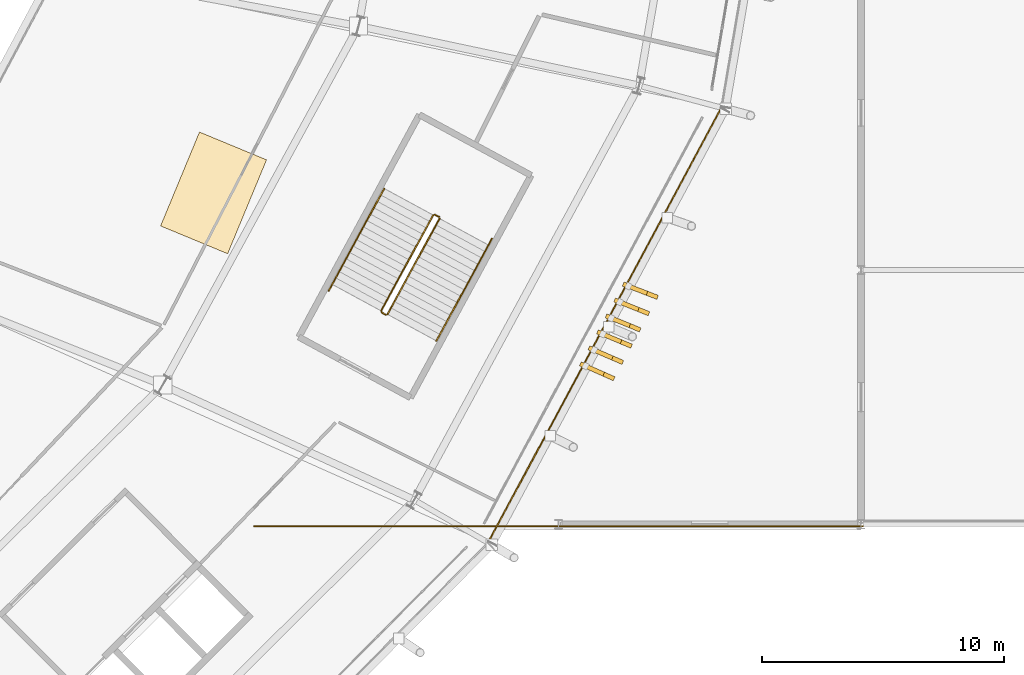
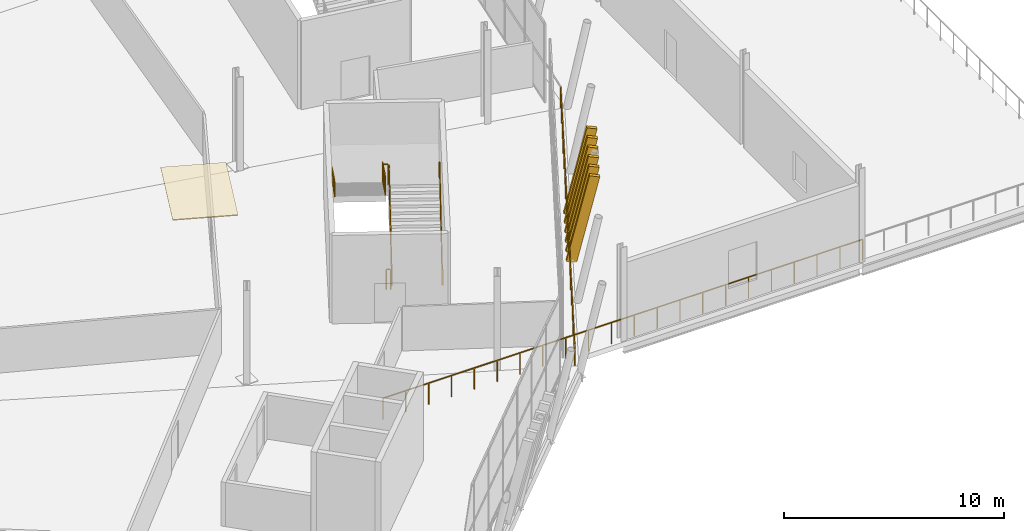
# One storey, part 156 of 168: 8 railings, 6 shading devices, 1 covering.
"""IFC4 building model written with IfcOpenShell, lengths in metres."""

from ifc_helpers import new_model, si_unit, direction, frame, origin, origin_2d, place, context, subcontext, project, spatial, polyline, rectangle, outline, extrude, material, layer, layer_set, material_profile, profile_set, type_object, element, save


model = new_model("IFC4")

# Units and contexts
model_context = context("Model", 3, precision=1e-05, world=origin(), true_north=direction((0.0, 1.0)))
body_context = subcontext(model_context, "Body", "Model", "MODEL_VIEW")
ifc_project = project(units=[si_unit("LENGTHUNIT", "METRE"), si_unit("AREAUNIT", "SQUARE_METRE"), si_unit("VOLUMEUNIT", "CUBIC_METRE"), si_unit("PLANEANGLEUNIT", "RADIAN"), si_unit("MASSUNIT", "GRAM", prefix="KILO")], contexts=[model_context])

# Site, building, storey
site_placement = place(None, origin())
site = spatial("IfcSite", under=ifc_project, at=site_placement, CompositionType="ELEMENT")
building_placement = place(site_placement, origin())
building = spatial("IfcBuilding", under=site, at=building_placement, Name="Zlatoyarsky Gate Stadium", CompositionType="ELEMENT")
storey_placement = place(building_placement, frame((0.0, 0.0, 15.60009765625)))
storey = spatial("IfcBuildingStorey", under=building, at=storey_placement, Name="L03", CompositionType="ELEMENT", Elevation=15.60009765625)

# Railings
ifc_material_1 = material(Name="Powder-coated steel tubular guardrail", Category="steel")
railing_type_1 = type_object("IfcRailingType", Name="CONCOURSE SLAB EDGE GUARDRAIL 1200", PredefinedType="GUARDRAIL", material=ifc_material_1)
railing_1_placement = place(storey_placement, frame((194.5908203125, 42.739013671875, 0.0)))
element("IfcRailing", 1, at=railing_1_placement, inside=storey, type_object=railing_type_1, Name="L03 outer slab edge guardrail 22", PredefinedType="GUARDRAIL", context=body_context, shape_type="SweptSolid", body=[
    extrude(rectangle(XDim=0.048095703125, YDim=0.048095703125, at=origin_2d()), frame((0.0, 0.0, 1.17578125), z_axis=(0.472758767062, 0.881191890661, 0.0), x_axis=(-0.881191890661, 0.472758767062, 0.0)), (0.0, 0.0, 1.0), 20.396484375),
    extrude(rectangle(XDim=0.0419921875, YDim=0.0419921875, at=origin_2d()), origin(), (0.0, 0.0, 1.0), 1.15185546875),
    extrude(rectangle(XDim=0.0419921875, YDim=0.0419921875, at=origin_2d()), frame((0.567138671875, 1.05712890625, 0.0)), (0.0, 0.0, 1.0), 1.15185546875),
    extrude(rectangle(XDim=0.0419921875, YDim=0.0419921875, at=origin_2d()), frame((1.134521484375, 2.114501953125, 0.0)), (0.0, 0.0, 1.0), 1.15185546875),
    extrude(rectangle(XDim=0.0419921875, YDim=0.0419921875, at=origin_2d()), frame((1.70166015625, 3.171630859375, 0.0)), (0.0, 0.0, 1.0), 1.15185546875),
    extrude(rectangle(XDim=0.0419921875, YDim=0.0419921875, at=origin_2d()), frame((2.268798828125, 4.22900390625, 0.0)), (0.0, 0.0, 1.0), 1.15185546875),
    extrude(rectangle(XDim=0.0419921875, YDim=0.0419921875, at=origin_2d()), frame((2.8359375, 5.2861328125, 0.0)), (0.0, 0.0, 1.0), 1.15185546875),
    extrude(rectangle(XDim=0.0419921875, YDim=0.0419921875, at=origin_2d()), frame((3.4033203125, 6.343505859375, 0.0)), (0.0, 0.0, 1.0), 1.15185546875),
    extrude(rectangle(XDim=0.0419921875, YDim=0.0419921875, at=origin_2d()), frame((3.970458984375, 7.400634765625, 0.0)), (0.0, 0.0, 1.0), 1.15185546875),
    extrude(rectangle(XDim=0.0419921875, YDim=0.0419921875, at=origin_2d()), frame((4.53759765625, 8.4580078125, 0.0)), (0.0, 0.0, 1.0), 1.15185546875),
    extrude(rectangle(XDim=0.0419921875, YDim=0.0419921875, at=origin_2d()), frame((5.10498046875, 9.51513671875, 0.0)), (0.0, 0.0, 1.0), 1.15185546875),
    extrude(rectangle(XDim=0.0419921875, YDim=0.0419921875, at=origin_2d()), frame((5.672119140625, 10.572509765625, 0.0)), (0.0, 0.0, 1.0), 1.15185546875),
    extrude(rectangle(XDim=0.0419921875, YDim=0.0419921875, at=origin_2d()), frame((6.2392578125, 11.629638671875, 0.0)), (0.0, 0.0, 1.0), 1.15185546875),
    extrude(rectangle(XDim=0.0419921875, YDim=0.0419921875, at=origin_2d()), frame((6.806640625, 12.68701171875, 0.0)), (0.0, 0.0, 1.0), 1.15185546875),
    extrude(rectangle(XDim=0.0419921875, YDim=0.0419921875, at=origin_2d()), frame((7.373779296875, 13.744140625, 0.0)), (0.0, 0.0, 1.0), 1.15185546875),
    extrude(rectangle(XDim=0.0419921875, YDim=0.0419921875, at=origin_2d()), frame((7.94091796875, 14.801513671875, 0.0)), (0.0, 0.0, 1.0), 1.15185546875),
    extrude(rectangle(XDim=0.0419921875, YDim=0.0419921875, at=origin_2d()), frame((8.508056640625, 15.858642578125, 0.0)), (0.0, 0.0, 1.0), 1.15185546875),
    extrude(rectangle(XDim=0.0419921875, YDim=0.0419921875, at=origin_2d()), frame((9.075439453125, 16.916015625, 0.0)), (0.0, 0.0, 1.0), 1.15185546875),
    extrude(rectangle(XDim=0.0419921875, YDim=0.0419921875, at=origin_2d()), frame((9.642578125, 17.97314453125, 0.0)), (0.0, 0.0, 1.0), 1.15185546875),
])
railing_2_placement = place(storey_placement, frame((184.919921875, 43.419921875, 0.0)))
element("IfcRailing", 2, at=railing_2_placement, inside=storey, type_object=railing_type_1, Name="V5_EAST L03 S slab edge guardrail", PredefinedType="GUARDRAIL", context=body_context, shape_type="SweptSolid", body=[
    extrude(rectangle(XDim=0.048095703125, YDim=0.048095703125, at=origin_2d()), frame((0.0, 0.0, 1.17578125), z_axis=(1.0, 0.0, 0.0), x_axis=(0.0, 1.0, 0.0)), (0.0, 0.0, 1.0), 25.16015625),
    extrude(rectangle(XDim=0.0419921875, YDim=0.0419921875, at=origin_2d()), origin(), (0.0, 0.0, 1.0), 1.15185546875),
    extrude(rectangle(XDim=0.0419921875, YDim=0.0419921875, at=origin_2d()), frame((1.197998046875, 0.0, 0.0)), (0.0, 0.0, 1.0), 1.15185546875),
    extrude(rectangle(XDim=0.0419921875, YDim=0.0419921875, at=origin_2d()), frame((2.396240234375, 0.0, 0.0)), (0.0, 0.0, 1.0), 1.15185546875),
    extrude(rectangle(XDim=0.0419921875, YDim=0.0419921875, at=origin_2d()), frame((3.59423828125, 0.0, 0.0)), (0.0, 0.0, 1.0), 1.15185546875),
    extrude(rectangle(XDim=0.0419921875, YDim=0.0419921875, at=origin_2d()), frame((4.79248046875, 0.0, 0.0)), (0.0, 0.0, 1.0), 1.15185546875),
    extrude(rectangle(XDim=0.0419921875, YDim=0.0419921875, at=origin_2d()), frame((5.990478515625, 0.0, 0.0)), (0.0, 0.0, 1.0), 1.15185546875),
    extrude(rectangle(XDim=0.0419921875, YDim=0.0419921875, at=origin_2d()), frame((7.188720703125, 0.0, 0.0)), (0.0, 0.0, 1.0), 1.15185546875),
    extrude(rectangle(XDim=0.0419921875, YDim=0.0419921875, at=origin_2d()), frame((8.38671875, 0.0, 0.0)), (0.0, 0.0, 1.0), 1.15185546875),
    extrude(rectangle(XDim=0.0419921875, YDim=0.0419921875, at=origin_2d()), frame((9.584716796875, 0.0, 0.0)), (0.0, 0.0, 1.0), 1.15185546875),
    extrude(rectangle(XDim=0.0419921875, YDim=0.0419921875, at=origin_2d()), frame((10.782958984375, 0.0, 0.0)), (0.0, 0.0, 1.0), 1.15185546875),
    extrude(rectangle(XDim=0.0419921875, YDim=0.0419921875, at=origin_2d()), frame((11.98095703125, 0.0, 0.0)), (0.0, 0.0, 1.0), 1.15185546875),
    extrude(rectangle(XDim=0.0419921875, YDim=0.0419921875, at=origin_2d()), frame((13.17919921875, 0.0, 0.0)), (0.0, 0.0, 1.0), 1.15185546875),
    extrude(rectangle(XDim=0.0419921875, YDim=0.0419921875, at=origin_2d()), frame((14.377197265625, 0.0, 0.0)), (0.0, 0.0, 1.0), 1.15185546875),
    extrude(rectangle(XDim=0.0419921875, YDim=0.0419921875, at=origin_2d()), frame((15.575439453125, 0.0, 0.0)), (0.0, 0.0, 1.0), 1.15185546875),
    extrude(rectangle(XDim=0.0419921875, YDim=0.0419921875, at=origin_2d()), frame((16.7734375, 0.0, 0.0)), (0.0, 0.0, 1.0), 1.15185546875),
    extrude(rectangle(XDim=0.0419921875, YDim=0.0419921875, at=origin_2d()), frame((17.971435546875, 0.0, 0.0)), (0.0, 0.0, 1.0), 1.15185546875),
    extrude(rectangle(XDim=0.0419921875, YDim=0.0419921875, at=origin_2d()), frame((19.169677734375, 0.0, 0.0)), (0.0, 0.0, 1.0), 1.15185546875),
    extrude(rectangle(XDim=0.0419921875, YDim=0.0419921875, at=origin_2d()), frame((20.36767578125, 0.0, 0.0)), (0.0, 0.0, 1.0), 1.15185546875),
    extrude(rectangle(XDim=0.0419921875, YDim=0.0419921875, at=origin_2d()), frame((21.56591796875, 0.0, 0.0)), (0.0, 0.0, 1.0), 1.15185546875),
    extrude(rectangle(XDim=0.0419921875, YDim=0.0419921875, at=origin_2d()), frame((22.763916015625, 0.0, 0.0)), (0.0, 0.0, 1.0), 1.15185546875),
    extrude(rectangle(XDim=0.0419921875, YDim=0.0419921875, at=origin_2d()), frame((23.962158203125, 0.0, 0.0)), (0.0, 0.0, 1.0), 1.15185546875),
    extrude(rectangle(XDim=0.0419921875, YDim=0.0419921875, at=origin_2d()), frame((25.16015625, 0.0, 0.0)), (0.0, 0.0, 1.0), 1.15185546875),
])
ifc_material_2 = material(Name="Powder-coated steel stair guardrail", Category="steel")
railing_type_2 = type_object("IfcRailingType", Name="PAINTED STEEL STAIR WELL GUARDRAIL 1150", PredefinedType="GUARDRAIL", material=ifc_material_2)
railing_3_placement = place(storey_placement, frame((190.437255859375, 52.175048828125, 0.162353515625)))
element("IfcRailing", 3, at=railing_3_placement, inside=storey, type_object=railing_type_2, Name="ST-12 L03 stair guard 1", PredefinedType="GUARDRAIL", context=body_context, shape_type="SweptSolid", body=[
    extrude(rectangle(XDim=0.048095703125, YDim=0.048095703125, at=origin_2d()), frame((0.0, 0.0, 1.1259765625), z_axis=(0.419324818617, 0.772864776611, 0.476284299098), x_axis=(-0.878963249763, 0.476889510858, 0.0)), (0.0, 0.0, 1.0), 5.11767578125),
    extrude(rectangle(XDim=0.0419921875, YDim=0.0419921875, at=origin_2d()), origin(), (0.0, 0.0, 1.0), 1.101806640625),
    extrude(rectangle(XDim=0.0419921875, YDim=0.0419921875, at=origin_2d()), frame((0.42919921875, 0.791015625, 0.487548828125)), (0.0, 0.0, 1.0), 1.101806640625),
    extrude(rectangle(XDim=0.0419921875, YDim=0.0419921875, at=origin_2d()), frame((0.8583984375, 1.58203125, 0.97509765625)), (0.0, 0.0, 1.0), 1.101806640625),
    extrude(rectangle(XDim=0.0419921875, YDim=0.0419921875, at=origin_2d()), frame((1.28759765625, 2.373291015625, 1.46240234375)), (0.0, 0.0, 1.0), 1.101806640625),
    extrude(rectangle(XDim=0.0419921875, YDim=0.0419921875, at=origin_2d()), frame((1.716796875, 3.164306640625, 1.949951171875)), (0.0, 0.0, 1.0), 1.101806640625),
    extrude(rectangle(XDim=0.0419921875, YDim=0.0419921875, at=origin_2d()), frame((2.14599609375, 3.955322265625, 2.4375)), (0.0, 0.0, 1.0), 1.101806640625),
])
railing_4_placement = place(storey_placement, frame((192.563232421875, 56.197998046875, 2.599853515625)))
element("IfcRailing", 4, at=railing_4_placement, inside=storey, type_object=railing_type_2, Name="ST-12 L03 stair guard 2", PredefinedType="GUARDRAIL", context=body_context, shape_type="SweptSolid", body=[
    extrude(rectangle(XDim=0.048095703125, YDim=0.048095703125, at=origin_2d()), frame((0.0, 0.0, 1.1259765625), z_axis=(-0.878780312785, 0.477226530971, 0.0), x_axis=(-0.477226530971, -0.878780312785, 0.0)), (0.0, 0.0, 1.0), 0.199951171875),
    extrude(rectangle(XDim=0.0419921875, YDim=0.0419921875, at=origin_2d()), origin(), (0.0, 0.0, 1.0), 1.101806640625),
    extrude(rectangle(XDim=0.0419921875, YDim=0.0419921875, at=origin_2d()), frame((-0.17578125, 0.095458984375, 0.0)), (0.0, 0.0, 1.0), 1.101806640625),
])
railing_5_placement = place(storey_placement, frame((192.319580078125, 56.2734375, 2.762451171875)))
element("IfcRailing", 5, at=railing_5_placement, inside=storey, type_object=railing_type_2, Name="ST-12 L03 stair guard 3", PredefinedType="GUARDRAIL", context=body_context, shape_type="SweptSolid", body=[
    extrude(rectangle(XDim=0.048095703125, YDim=0.048095703125, at=origin_2d()), frame((0.0, 0.0, 1.1259765625), z_axis=(-0.419324818617, -0.772864776611, 0.476284299098), x_axis=(0.878963249763, -0.476889510858, 0.0)), (0.0, 0.0, 1.0), 5.11767578125),
    extrude(rectangle(XDim=0.0419921875, YDim=0.0419921875, at=origin_2d()), origin(), (0.0, 0.0, 1.0), 1.101806640625),
    extrude(rectangle(XDim=0.0419921875, YDim=0.0419921875, at=origin_2d()), frame((-0.42919921875, -0.791015625, 0.487548828125)), (0.0, 0.0, 1.0), 1.101806640625),
    extrude(rectangle(XDim=0.0419921875, YDim=0.0419921875, at=origin_2d()), frame((-0.8583984375, -1.58203125, 0.97509765625)), (0.0, 0.0, 1.0), 1.101806640625),
    extrude(rectangle(XDim=0.0419921875, YDim=0.0419921875, at=origin_2d()), frame((-1.28759765625, -2.373291015625, 1.46240234375)), (0.0, 0.0, 1.0), 1.101806640625),
    extrude(rectangle(XDim=0.0419921875, YDim=0.0419921875, at=origin_2d()), frame((-1.716796875, -3.164306640625, 1.949951171875)), (0.0, 0.0, 1.0), 1.101806640625),
    extrude(rectangle(XDim=0.0419921875, YDim=0.0419921875, at=origin_2d()), frame((-2.14599609375, -3.955322265625, 2.4375)), (0.0, 0.0, 1.0), 1.101806640625),
])
railing_6_placement = place(storey_placement, frame((190.36962890625, 52.15478515625, 0.0)))
element("IfcRailing", 6, at=railing_6_placement, inside=storey, type_object=railing_type_2, Name="ST-12 L03 stair guard 4", PredefinedType="GUARDRAIL", context=body_context, shape_type="SweptSolid", body=[
    extrude(rectangle(XDim=0.048095703125, YDim=0.048095703125, at=origin_2d()), frame((0.0, 0.0, 1.1259765625), z_axis=(-0.878780312785, 0.477226530971, 0.0), x_axis=(-0.477226530971, -0.878780312785, 0.0)), (0.0, 0.0, 1.0), 0.199951171875),
    extrude(rectangle(XDim=0.0419921875, YDim=0.0419921875, at=origin_2d()), origin(), (0.0, 0.0, 1.0), 1.101806640625),
    extrude(rectangle(XDim=0.0419921875, YDim=0.0419921875, at=origin_2d()), frame((-0.17578125, 0.095458984375, 0.0)), (0.0, 0.0, 1.0), 1.101806640625),
])

# Covering
ifc_material_3 = material(Name="Perforated anodised aluminium acoustic ceiling", Category="aluminium")
ifc_layer = layer(ifc_material_3, 0.050048828125)
ifc_layer_set = layer_set([ifc_layer], Name="Perforated anodised aluminium acoustic ceiling")
covering_type = type_object("IfcCoveringType", Name="PERFORATED ACOUSTIC BAFFLE CEILING 50", PredefinedType="CEILING", material=ifc_layer_set)
covering_placement = place(storey_placement, frame((0.0, 0.0, 4.849853515625)))
element("IfcCovering", 7, at=covering_placement, inside=storey, type_object=covering_type, Name="L03 box gallery acoustic ceiling 08", PredefinedType="CEILING", context=body_context, shape_type="SweptSolid", body=[
    extrude(outline(polyline([(181.0576171875, 55.825927734375), (182.664794921875, 59.706298828125), (185.4365234375, 58.55810546875), (183.8291015625, 54.677734375), (181.0576171875, 55.825927734375)])), origin(), (0.0, 0.0, 1.0), 0.050048828125),
])

# Shading devices
ifc_material_4 = material(Name="Precast concrete C40/50 stone-toned architectural rib", Category="masonry")
ifc_material_profile = material_profile(ifc_material_4, rectangle(XDim=0.179931640625, YDim=0.47998046875, at=origin_2d()), Name="RIB 180X480")
ifc_profile_set = profile_set([ifc_material_profile], Name="Precast concrete C40/50 stone-toned architectural rib")
shading_device_type = type_object("IfcShadingDeviceType", Name="PRECAST RIBBED BOWL LOUVRE FIN 180X480", PredefinedType="JALOUSIE", material=ifc_profile_set)
for number, where, z_axis, x_axis, name in (
    (8, (198.617431640625, 50.035400390625, -0.010009765625), (0.202521751379, -0.089714479168, 0.975159603576), (0.405025327301, 0.914305465501, 0.0), "Leaning bowl louvre fin L03-22-1"),
    (9, (198.971923828125, 50.6962890625, -0.010009765625), (0.203341409477, -0.087722914591, 0.975170221781), (0.396117808554, 0.918199696007, 0.0), "Leaning bowl louvre fin L03-22-2"),
    (10, (199.326416015625, 51.357177734375, -0.010009765625), (0.204160138444, -0.085730908986, 0.975176316937), (0.387169720357, 0.922008463973, 0.0), "Leaning bowl louvre fin L03-22-3"),
    (11, (199.680908203125, 52.01806640625, -0.010009765625), (0.204977926852, -0.083738490058, 0.975177888791), (0.378183571957, 0.925730622753, 0.0), "Leaning bowl louvre fin L03-22-4"),
    (12, (200.035400390625, 52.67919921875, -0.010009765625), (0.205793043267, -0.081847183544, 0.975166786703), (0.369560369764, 0.929206722479, 0.0), "Leaning bowl louvre fin L03-22-5"),
    (13, (200.389892578125, 53.340087890625, -0.010009765625), (0.206608951703, -0.079854053292, 0.97515951067), (0.360508745614, 0.932755833182, 0.0), "Leaning bowl louvre fin L03-22-6"),
):
    element("IfcShadingDevice", number, at=place(storey_placement, frame(where, z_axis=z_axis, x_axis=x_axis)), inside=storey, type_object=shading_device_type, Name=name, PredefinedType="JALOUSIE", context=body_context, shape_type="SweptSolid", body=[
        extrude(rectangle(XDim=0.179931640625, YDim=0.47998046875, at=origin_2d()), origin(), (0.0, 0.0, 1.0), 4.778564453125),
    ])

# Railings
ifc_material_5 = material(Name="Brushed stainless steel 316 handrail", Category="steel")
railing_type_3 = type_object("IfcRailingType", Name="STAINLESS STEEL TUBULAR HANDRAIL 900", PredefinedType="HANDRAIL", material=ifc_material_5)
railing_7_placement = place(storey_placement, frame((192.458984375, 51.078125, 0.16650390625)))
element("IfcRailing", 14, at=railing_7_placement, inside=storey, type_object=railing_type_3, Name="ST-12 L03 stair handrail 1", PredefinedType="HANDRAIL", context=body_context, shape_type="SweptSolid", body=[
    extrude(rectangle(XDim=0.048095703125, YDim=0.048095703125, at=origin_2d()), frame((0.0, 0.0, 0.8759765625), z_axis=(0.419331144084, 0.772873453596, 0.476264649462), x_axis=(-0.878962478599, 0.4768909322, 0.0)), (0.0, 0.0, 1.0), 5.458740234375),
    extrude(rectangle(XDim=0.0419921875, YDim=0.0419921875, at=origin_2d()), origin(), (0.0, 0.0, 1.0), 0.851806640625),
    extrude(rectangle(XDim=0.0419921875, YDim=0.0419921875, at=origin_2d()), frame((0.457763671875, 0.84375, 0.52001953125)), (0.0, 0.0, 1.0), 0.851806640625),
    extrude(rectangle(XDim=0.0419921875, YDim=0.0419921875, at=origin_2d()), frame((0.91552734375, 1.6875, 1.0400390625)), (0.0, 0.0, 1.0), 0.851806640625),
    extrude(rectangle(XDim=0.0419921875, YDim=0.0419921875, at=origin_2d()), frame((1.37353515625, 2.531494140625, 1.559814453125)), (0.0, 0.0, 1.0), 0.851806640625),
    extrude(rectangle(XDim=0.0419921875, YDim=0.0419921875, at=origin_2d()), frame((1.831298828125, 3.375244140625, 2.079833984375)), (0.0, 0.0, 1.0), 0.851806640625),
    extrude(rectangle(XDim=0.0419921875, YDim=0.0419921875, at=origin_2d()), frame((2.2890625, 4.218994140625, 2.599853515625)), (0.0, 0.0, 1.0), 0.851806640625),
])
railing_8_placement = place(storey_placement, frame((190.298095703125, 57.3701171875, 2.766357421875)))
element("IfcRailing", 15, at=railing_8_placement, inside=storey, type_object=railing_type_3, Name="ST-12 L03 stair handrail 2", PredefinedType="HANDRAIL", context=body_context, shape_type="SweptSolid", body=[
    extrude(rectangle(XDim=0.048095703125, YDim=0.048095703125, at=origin_2d()), frame((0.0, 0.0, 0.8759765625), z_axis=(-0.419322212027, -0.772856990832, 0.476299227612), x_axis=(0.878962478599, -0.4768909322, 0.0)), (0.0, 0.0, 1.0), 5.458984375),
    extrude(rectangle(XDim=0.0419921875, YDim=0.0419921875, at=origin_2d()), origin(), (0.0, 0.0, 1.0), 0.851806640625),
    extrude(rectangle(XDim=0.0419921875, YDim=0.0419921875, at=origin_2d()), frame((-0.457763671875, -0.84375, 0.52001953125)), (0.0, 0.0, 1.0), 0.851806640625),
    extrude(rectangle(XDim=0.0419921875, YDim=0.0419921875, at=origin_2d()), frame((-0.91552734375, -1.6875, 1.0400390625)), (0.0, 0.0, 1.0), 0.851806640625),
    extrude(rectangle(XDim=0.0419921875, YDim=0.0419921875, at=origin_2d()), frame((-1.37353515625, -2.531494140625, 1.56005859375)), (0.0, 0.0, 1.0), 0.851806640625),
    extrude(rectangle(XDim=0.0419921875, YDim=0.0419921875, at=origin_2d()), frame((-1.831298828125, -3.375244140625, 2.080078125)), (0.0, 0.0, 1.0), 0.851806640625),
    extrude(rectangle(XDim=0.0419921875, YDim=0.0419921875, at=origin_2d()), frame((-2.2890625, -4.218994140625, 2.60009765625)), (0.0, 0.0, 1.0), 0.851806640625),
])

save(model, "model.ifc")
